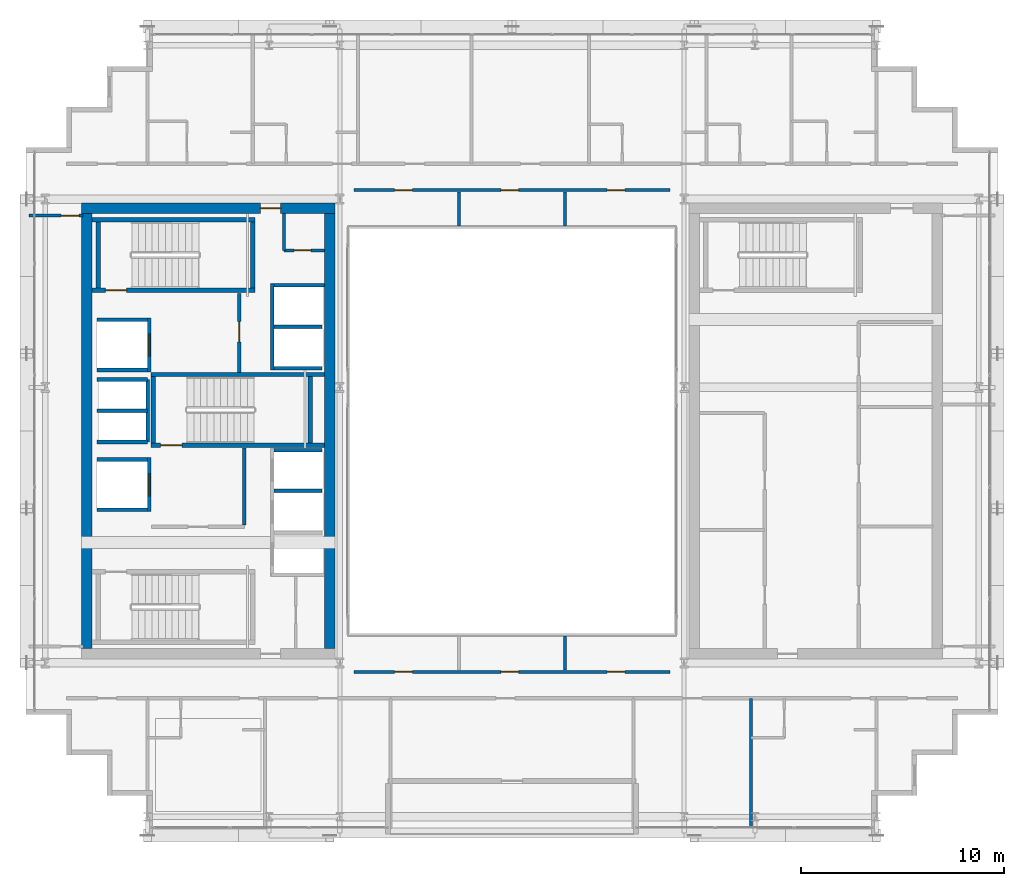
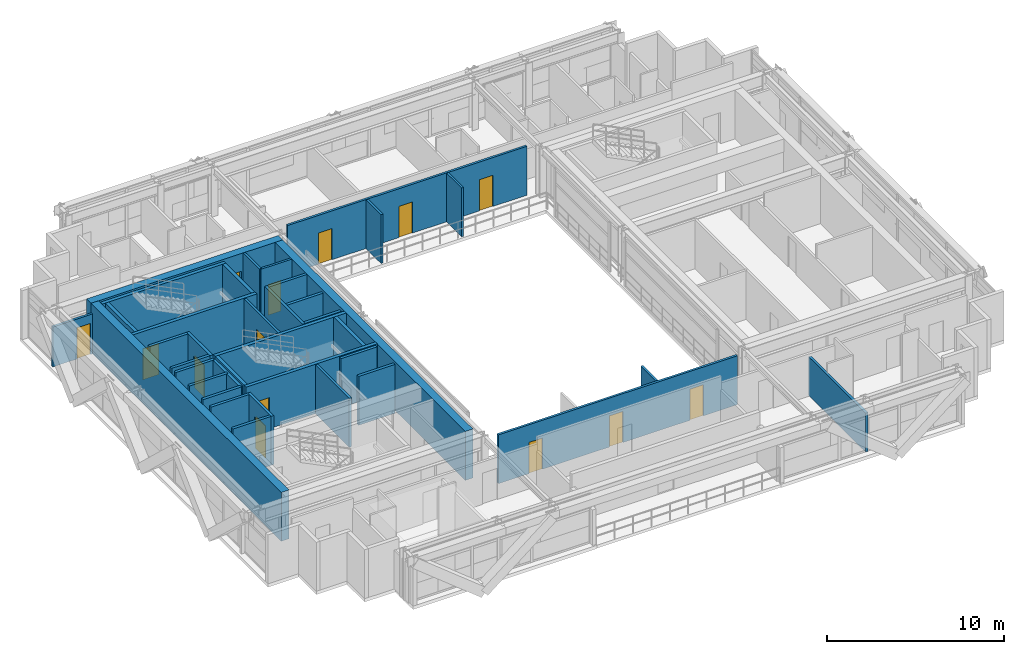
# One storey, part 30 of 37: 38 walls, 14 doors, 14 openings.
"""IFC4 building model written with IfcOpenShell, lengths in metres."""

from ifc_helpers import new_model, si_unit, direction, frame, frame_2d, origin, place, context, subcontext, project, spatial, rectangle, extrude, source, transform, mapped, material, layer, layer_set, type_object, element, fill, save


model = new_model("IFC4")

# Units and contexts
model_context = context("Model", 3, precision=1e-05, world=origin(), true_north=direction((0.0, 1.0)))
body_context = subcontext(model_context, "Body", "Model", "MODEL_VIEW")
ifc_project = project(units=[si_unit("LENGTHUNIT", "METRE"), si_unit("AREAUNIT", "SQUARE_METRE"), si_unit("VOLUMEUNIT", "CUBIC_METRE"), si_unit("PLANEANGLEUNIT", "RADIAN"), si_unit("MASSUNIT", "GRAM", prefix="KILO")], contexts=[model_context])

# Site, building, storey
site_placement = place(None, origin())
site = spatial("IfcSite", under=ifc_project, at=site_placement, CompositionType="ELEMENT")
building_placement = place(site_placement, origin())
building = spatial("IfcBuilding", under=site, at=building_placement, Name="Ocotamira Hotel", CompositionType="ELEMENT")
storey_placement = place(building_placement, frame((0.0, 0.0, 192.0)))
storey = spatial("IfcBuildingStorey", under=building, at=storey_placement, Name="L48", CompositionType="ELEMENT", Elevation=192.0)

# Wall, opening, door
ifc_material_1 = material(Name="Concrete C50/60", Category="concrete")
ifc_layer_1 = layer(ifc_material_1, 0.5)
ifc_layer_set_1 = layer_set([ifc_layer_1], Name="Concrete C50/60")
wall_type_1 = type_object("IfcWallType", Name="WL-CORE-500", PredefinedType="SHEAR", material=ifc_layer_set_1)
wall_1_placement = place(storey_placement, frame((10.75, 37.0, 0.0), z_axis=(0.0, 0.0, 1.0), x_axis=(1.0, 0.0, 0.0)))
wall_1 = element("IfcWall", 1, at=wall_1_placement, inside=storey, type_object=wall_type_1, Name="L48 Shear Core Wall WCORE-N", PredefinedType="SHEAR", context=body_context, shape_type="SweptSolid", body=[
    extrude(rectangle(XDim=12.5, YDim=0.5, at=frame_2d((6.25, 0.0))), origin(), (0.0, 0.0, 1.0), 3.3701171875),
])
opening_1_placement = place(wall_1_placement, frame((8.830078125, 0.0, 0.0)))
opening_1 = element("IfcOpeningElement", 2, at=opening_1_placement, cuts=wall_1, Name="Opening D-FR2", PredefinedType="OPENING", context=body_context, shape_type="SweptSolid", body=[
    extrude(rectangle(XDim=1.0, YDim=2.14990234375, at=frame_2d((0.5, 1.074951171875))), frame((0.0, 0.260009765625, 0.0), z_axis=(0.0, -1.0, 0.0), x_axis=(1.0, 0.0, 0.0)), (0.0, 0.0, 1.0), 0.52001953125),
])
ifc_material_2 = material(Name="Fire-rated acoustic timber-veneer door", Category="wood")
door_type_1 = type_object("IfcDoorType", Name="DR-FIRE-1000", OperationType="NOTDEFINED", PredefinedType="DOOR", material=ifc_material_2)
shared_shape_1 = source(origin(), body_context, "Body", "SweptSolid", [
    extrude(rectangle(XDim=1.0, YDim=2.14990234375, at=frame_2d((0.5, 1.074951171875))), frame((0.0, 0.02490234375, 0.0), z_axis=(0.0, -1.0, 0.0), x_axis=(1.0, 0.0, 0.0)), (0.0, 0.0, 1.0), 0.050048828125),
])
door_1_placement = place(opening_1_placement, origin())
door_1 = element("IfcDoor", 3, at=door_1_placement, inside=storey, type_object=door_type_1, Name="L48 Door ID-L48-WLOB-N-D [ID-L48-WLOB-N-D]", OperationType="SINGLE_SWING_RIGHT", OverallHeight=2.14990234375, OverallWidth=1.0, PredefinedType="DOOR", context=body_context, shape_type="MappedRepresentation", body=[
    mapped(shared_shape_1, transform((0.0, 0.0, 0.0), scale=1.0)),
])
fill(opening_1, door_1)

# Walls
for number, where, z_axis, x_axis, name in (
    (4, (11.0, 15.25, 0.0), (0.0, 0.0, 1.0), (0.0, 1.0, 0.0), "L48 Shear Core Wall WCORE-W"),
    (5, (23.0, 15.25, 0.0), (0.0, 0.0, 1.0), (0.0, 1.0, 0.0), "L48 Shear Core Wall WCORE-E"),
):
    element("IfcWall", number, at=place(storey_placement, frame(where, z_axis=z_axis, x_axis=x_axis)), inside=storey, type_object=wall_type_1, Name=name, PredefinedType="SHEAR", context=body_context, shape_type="SweptSolid", body=[
        extrude(rectangle(XDim=21.5, YDim=0.5, at=frame_2d((10.75, 0.0))), origin(), (0.0, 0.0, 1.0), 3.3701171875),
    ])
ifc_material_3 = material(Name="Acoustic double-layer fire gypsum board partition", Category="gypsum")
ifc_layer_2 = layer(ifc_material_3, 0.159912109375)
ifc_layer_set_2 = layer_set([ifc_layer_2], Name="Acoustic double-layer fire gypsum board partition")
wall_type_2 = type_object("IfcWallType", Name="WL-FIRE-160", PredefinedType="PARTITIONING", material=ifc_layer_set_2)
wall_2_placement = place(storey_placement, frame((18.780029296875, 21.35009765625, 0.0), z_axis=(0.0, 0.0, 1.0), x_axis=(0.0, 1.0, 0.0)))
element("IfcWall", 6, at=wall_2_placement, inside=storey, type_object=wall_type_2, Name="L48 Interior Wall PW-L48-FSAE1-E", PredefinedType="PARTITIONING", context=body_context, shape_type="SweptSolid", body=[
    extrude(rectangle(XDim=3.809814453125, YDim=0.159912109375, at=frame_2d((1.90478515625, 0.0))), origin(), (0.0, 0.0, 1.0), 3.3701171875),
])

# Wall, opening, door
wall_3_placement = place(storey_placement, frame((18.530029296875, 28.89990234375, 0.0), z_axis=(0.0, 0.0, 1.0), x_axis=(0.0, 1.0, 0.0)))
wall_3 = element("IfcWall", 7, at=wall_3_placement, inside=storey, type_object=wall_type_2, Name="L48 Interior Wall PW-L48-FSAE2-E", PredefinedType="PARTITIONING", context=body_context, shape_type="SweptSolid", body=[
    extrude(rectangle(XDim=3.900146484375, YDim=0.159912109375, at=frame_2d((1.9501953125, 0.0))), origin(), (0.0, 0.0, 1.0), 3.3701171875),
])
opening_2_placement = place(wall_3_placement, frame((1.5, 0.0, 0.0)))
opening_2 = element("IfcOpeningElement", 8, at=opening_2_placement, cuts=wall_3, Name="Opening D-FR2", PredefinedType="OPENING", context=body_context, shape_type="SweptSolid", body=[
    extrude(rectangle(XDim=1.0, YDim=2.14990234375, at=frame_2d((0.5, 1.074951171875))), frame((0.0, 0.08984375, 0.0), z_axis=(0.0, -1.0, 0.0), x_axis=(1.0, 0.0, 0.0)), (0.0, 0.0, 1.0), 0.179931640625),
])
door_2_placement = place(opening_2_placement, origin())
door_2 = element("IfcDoor", 9, at=door_2_placement, inside=storey, type_object=door_type_1, Name="L48 Door ID-L48-FSAE2-D [ID-L48-FSAE2-D]", OperationType="SINGLE_SWING_RIGHT", OverallHeight=2.14990234375, OverallWidth=1.0, PredefinedType="DOOR", context=body_context, shape_type="MappedRepresentation", body=[
    mapped(shared_shape_1, transform((0.0, 0.0, 0.0), scale=1.0)),
])
fill(opening_2, door_2)

# Wall
ifc_material_4 = material(Name="Acoustic hospitality gypsum board partition", Category="gypsum")
ifc_layer_3 = layer(ifc_material_4, 0.14208984375)
ifc_layer_set_3 = layer_set([ifc_layer_3], Name="Acoustic hospitality gypsum board partition")
wall_type_3 = type_object("IfcWallType", Name="WL-PART-142", PredefinedType="PARTITIONING", material=ifc_layer_set_3)
wall_4_placement = place(storey_placement, frame((20.739990234375, 34.919921875, 0.0), z_axis=(0.0, 0.0, 1.0), x_axis=(0.0, 1.0, 0.0)))
element("IfcWall", 10, at=wall_4_placement, inside=storey, type_object=wall_type_3, Name="L48 Interior Wall PW-L48-WC-NE-W1", PredefinedType="PARTITIONING", context=body_context, shape_type="SweptSolid", body=[
    extrude(rectangle(XDim=1.830078125, YDim=0.14208984375, at=frame_2d((0.9150390625, 0.0))), origin(), (0.0, 0.0, 1.0), 3.3701171875),
])

# Wall, opening, door
wall_5_placement = place(storey_placement, frame((20.739990234375, 34.919921875, 0.0), z_axis=(0.0, 0.0, 1.0), x_axis=(1.0, 0.0, 0.0)))
wall_5 = element("IfcWall", 11, at=wall_5_placement, inside=storey, type_object=wall_type_3, Name="L48 Interior Wall PW-L48-WC-NE-S1", PredefinedType="PARTITIONING", context=body_context, shape_type="SweptSolid", body=[
    extrude(rectangle(XDim=2.010009765625, YDim=0.14208984375, at=frame_2d((1.0048828125, 0.0))), origin(), (0.0, 0.0, 1.0), 3.3701171875),
])
opening_3_placement = place(wall_5_placement, frame((0.5, 0.0, 0.0)))
opening_3 = element("IfcOpeningElement", 12, at=opening_3_placement, cuts=wall_5, Name="Opening D-SV1", PredefinedType="OPENING", context=body_context, shape_type="SweptSolid", body=[
    extrude(rectangle(XDim=0.840087890625, YDim=2.10009765625, at=frame_2d((0.419921875, 1.050048828125))), frame((0.0, 0.0810546875, 0.0), z_axis=(0.0, -1.0, 0.0), x_axis=(1.0, 0.0, 0.0)), (0.0, 0.0, 1.0), 0.162109375),
])
ifc_material_5 = material(Name="Fire-rated painted steel service door", Category="steel")
door_type_2 = type_object("IfcDoorType", Name="DR-SERV-840", OperationType="NOTDEFINED", PredefinedType="DOOR", material=ifc_material_5)
shared_shape_2 = source(origin(), body_context, "Body", "SweptSolid", [
    extrude(rectangle(XDim=0.840087890625, YDim=2.10009765625, at=frame_2d((0.419921875, 1.050048828125))), frame((0.0, 0.02490234375, 0.0), z_axis=(0.0, -1.0, 0.0), x_axis=(1.0, 0.0, 0.0)), (0.0, 0.0, 1.0), 0.050048828125),
])
door_3_placement = place(opening_3_placement, origin())
door_3 = element("IfcDoor", 13, at=door_3_placement, inside=storey, type_object=door_type_2, Name="L48 Door ID-L48-WC-NE-D1 [ID-L48-WC-NE-D1]", OperationType="SINGLE_SWING_LEFT", OverallHeight=2.10009765625, OverallWidth=0.840087890625, PredefinedType="DOOR", context=body_context, shape_type="MappedRepresentation", body=[
    mapped(shared_shape_2, transform((0.0, 0.0, 0.0), scale=1.0)),
])
fill(opening_3, door_3)

# Walls
for number, where, z_axis, x_axis, name in (
    (14, (29.375, 36.1201171875, 0.0), (0.0, 0.0, 1.0), (0.0, 1.0, 0.0), "L48 Interior Wall PW-L48-Z3C-ANDV1"),
    (15, (34.625, 14.199951171875, 0.0), (0.0, 0.0, 1.0), (0.0, 1.0, 0.0), "L48 Interior Wall PW-L48-Z3C-ASDV2"),
    (16, (34.625, 36.1201171875, 0.0), (0.0, 0.0, 1.0), (0.0, 1.0, 0.0), "L48 Interior Wall PW-L48-Z3C-ANDV2"),
):
    element("IfcWall", number, at=place(storey_placement, frame(where, z_axis=z_axis, x_axis=x_axis)), inside=storey, type_object=wall_type_3, Name=name, PredefinedType="PARTITIONING", context=body_context, shape_type="SweptSolid", body=[
        extrude(rectangle(XDim=1.679931640625, YDim=0.14208984375, at=frame_2d((0.83984375, 0.0))), origin(), (0.0, 0.0, 1.0), 3.3701171875),
    ])

# Wall, openings, doors
ifc_layer_4 = layer(ifc_material_4, 0.14990234375)
ifc_layer_set_4 = layer_set([ifc_layer_4], Name="Acoustic hospitality gypsum board partition")
wall_type_4 = type_object("IfcWallType", Name="WL-PART-150", PredefinedType="PARTITIONING", material=ifc_layer_set_4)
wall_6_placement = place(storey_placement, frame((24.199951171875, 14.10009765625, 0.0), z_axis=(0.0, 0.0, 1.0), x_axis=(1.0, 0.0, 0.0)))
wall_6 = element("IfcWall", 17, at=wall_6_placement, inside=storey, type_object=wall_type_4, Name="L48 Interior Wall PW-L48-Z3C-ATRSW", PredefinedType="PARTITIONING", context=body_context, shape_type="SweptSolid", body=[
    extrude(rectangle(XDim=15.60009765625, YDim=0.14990234375, at=frame_2d((7.800048828125, 0.0))), origin(), (0.0, 0.0, 1.0), 3.3701171875),
])
opening_4_placement = place(wall_6_placement, frame((2.0, 0.0, 0.0)))
opening_4 = element("IfcOpeningElement", 18, at=opening_4_placement, cuts=wall_6, Name="Opening D-SV2", PredefinedType="OPENING", context=body_context, shape_type="SweptSolid", body=[
    extrude(rectangle(XDim=0.8798828125, YDim=2.14990234375, at=frame_2d((0.43994140625, 1.074951171875))), frame((0.0, 0.0849609375, 0.0), z_axis=(0.0, -1.0, 0.0), x_axis=(1.0, 0.0, 0.0)), (0.0, 0.0, 1.0), 0.169921875),
])
opening_5_placement = place(wall_6_placement, frame((7.25, 0.0, 0.0)))
opening_5 = element("IfcOpeningElement", 19, at=opening_5_placement, cuts=wall_6, Name="Opening D-SV2", PredefinedType="OPENING", context=body_context, shape_type="SweptSolid", body=[
    extrude(rectangle(XDim=0.8798828125, YDim=2.14990234375, at=frame_2d((0.43994140625, 1.074951171875))), frame((0.0, 0.0849609375, 0.0), z_axis=(0.0, -1.0, 0.0), x_axis=(1.0, 0.0, 0.0)), (0.0, 0.0, 1.0), 0.169921875),
])
opening_6_placement = place(wall_6_placement, frame((12.5, 0.0, 0.0)))
opening_6 = element("IfcOpeningElement", 20, at=opening_6_placement, cuts=wall_6, Name="Opening D-SV2", PredefinedType="OPENING", context=body_context, shape_type="SweptSolid", body=[
    extrude(rectangle(XDim=0.8798828125, YDim=2.14990234375, at=frame_2d((0.43994140625, 1.074951171875))), frame((0.0, 0.0849609375, 0.0), z_axis=(0.0, -1.0, 0.0), x_axis=(1.0, 0.0, 0.0)), (0.0, 0.0, 1.0), 0.169921875),
])
door_type_3 = type_object("IfcDoorType", Name="DR-SERV-880", OperationType="NOTDEFINED", PredefinedType="DOOR", material=ifc_material_5)
shared_shape_3 = source(origin(), body_context, "Body", "SweptSolid", [
    extrude(rectangle(XDim=0.8798828125, YDim=2.14990234375, at=frame_2d((0.43994140625, 1.074951171875))), frame((0.0, 0.02490234375, 0.0), z_axis=(0.0, -1.0, 0.0), x_axis=(1.0, 0.0, 0.0)), (0.0, 0.0, 1.0), 0.050048828125),
])
door_4_placement = place(opening_4_placement, origin())
door_4 = element("IfcDoor", 21, at=door_4_placement, inside=storey, type_object=door_type_3, Name="L48 Door ID-L48-Z3C-ASDD1 [ID-L48-Z3C-ASDD1]", OperationType="SINGLE_SWING_LEFT", OverallHeight=2.14990234375, OverallWidth=0.8798828125, PredefinedType="DOOR", context=body_context, shape_type="MappedRepresentation", body=[
    mapped(shared_shape_3, transform((0.0, 0.0, 0.0), scale=1.0)),
])
fill(opening_4, door_4)
door_5_placement = place(opening_5_placement, origin())
door_5 = element("IfcDoor", 22, at=door_5_placement, inside=storey, type_object=door_type_3, Name="L48 Door ID-L48-Z3C-ASDD2 [ID-L48-Z3C-ASDD2]", OperationType="SINGLE_SWING_LEFT", OverallHeight=2.14990234375, OverallWidth=0.8798828125, PredefinedType="DOOR", context=body_context, shape_type="MappedRepresentation", body=[
    mapped(shared_shape_3, transform((0.0, 0.0, 0.0), scale=1.0)),
])
fill(opening_5, door_5)
door_6_placement = place(opening_6_placement, origin())
door_6 = element("IfcDoor", 23, at=door_6_placement, inside=storey, type_object=door_type_3, Name="L48 Door ID-L48-Z3C-ASDD3 [ID-L48-Z3C-ASDD3]", OperationType="SINGLE_SWING_LEFT", OverallHeight=2.14990234375, OverallWidth=0.8798828125, PredefinedType="DOOR", context=body_context, shape_type="MappedRepresentation", body=[
    mapped(shared_shape_3, transform((0.0, 0.0, 0.0), scale=1.0)),
])
fill(opening_6, door_6)

wall_7_placement = place(storey_placement, frame((24.199951171875, 37.89990234375, 0.0), z_axis=(0.0, 0.0, 1.0), x_axis=(1.0, 0.0, 0.0)))
wall_7 = element("IfcWall", 24, at=wall_7_placement, inside=storey, type_object=wall_type_4, Name="L48 Interior Wall PW-L48-Z3C-ATRNW", PredefinedType="PARTITIONING", context=body_context, shape_type="SweptSolid", body=[
    extrude(rectangle(XDim=15.60009765625, YDim=0.14990234375, at=frame_2d((7.800048828125, 0.0))), origin(), (0.0, 0.0, 1.0), 3.3701171875),
])
opening_7_placement = place(wall_7_placement, frame((2.0, 0.0, 0.0)))
opening_7 = element("IfcOpeningElement", 25, at=opening_7_placement, cuts=wall_7, Name="Opening D-SV2", PredefinedType="OPENING", context=body_context, shape_type="SweptSolid", body=[
    extrude(rectangle(XDim=0.8798828125, YDim=2.14990234375, at=frame_2d((0.43994140625, 1.074951171875))), frame((0.0, 0.0849609375, 0.0), z_axis=(0.0, -1.0, 0.0), x_axis=(1.0, 0.0, 0.0)), (0.0, 0.0, 1.0), 0.169921875),
])
opening_8_placement = place(wall_7_placement, frame((7.25, 0.0, 0.0)))
opening_8 = element("IfcOpeningElement", 26, at=opening_8_placement, cuts=wall_7, Name="Opening D-SV2", PredefinedType="OPENING", context=body_context, shape_type="SweptSolid", body=[
    extrude(rectangle(XDim=0.8798828125, YDim=2.14990234375, at=frame_2d((0.43994140625, 1.074951171875))), frame((0.0, 0.0849609375, 0.0), z_axis=(0.0, -1.0, 0.0), x_axis=(1.0, 0.0, 0.0)), (0.0, 0.0, 1.0), 0.169921875),
])
opening_9_placement = place(wall_7_placement, frame((12.5, 0.0, 0.0)))
opening_9 = element("IfcOpeningElement", 27, at=opening_9_placement, cuts=wall_7, Name="Opening D-SV2", PredefinedType="OPENING", context=body_context, shape_type="SweptSolid", body=[
    extrude(rectangle(XDim=0.8798828125, YDim=2.14990234375, at=frame_2d((0.43994140625, 1.074951171875))), frame((0.0, 0.0849609375, 0.0), z_axis=(0.0, -1.0, 0.0), x_axis=(1.0, 0.0, 0.0)), (0.0, 0.0, 1.0), 0.169921875),
])
door_7_placement = place(opening_7_placement, origin())
door_7 = element("IfcDoor", 28, at=door_7_placement, inside=storey, type_object=door_type_3, Name="L48 Door ID-L48-Z3C-ANDD1 [ID-L48-Z3C-ANDD1]", OperationType="SINGLE_SWING_RIGHT", OverallHeight=2.14990234375, OverallWidth=0.8798828125, PredefinedType="DOOR", context=body_context, shape_type="MappedRepresentation", body=[
    mapped(shared_shape_3, transform((0.0, 0.0, 0.0), scale=1.0)),
])
fill(opening_7, door_7)
door_8_placement = place(opening_8_placement, origin())
door_8 = element("IfcDoor", 29, at=door_8_placement, inside=storey, type_object=door_type_3, Name="L48 Door ID-L48-Z3C-ANDD2 [ID-L48-Z3C-ANDD2]", OperationType="SINGLE_SWING_RIGHT", OverallHeight=2.14990234375, OverallWidth=0.8798828125, PredefinedType="DOOR", context=body_context, shape_type="MappedRepresentation", body=[
    mapped(shared_shape_3, transform((0.0, 0.0, 0.0), scale=1.0)),
])
fill(opening_8, door_8)
door_9_placement = place(opening_9_placement, origin())
door_9 = element("IfcDoor", 30, at=door_9_placement, inside=storey, type_object=door_type_3, Name="L48 Door ID-L48-Z3C-ANDD3 [ID-L48-Z3C-ANDD3]", OperationType="SINGLE_SWING_RIGHT", OverallHeight=2.14990234375, OverallWidth=0.8798828125, PredefinedType="DOOR", context=body_context, shape_type="MappedRepresentation", body=[
    mapped(shared_shape_3, transform((0.0, 0.0, 0.0), scale=1.0)),
])
fill(opening_9, door_9)

# Wall, opening, door
wall_8_placement = place(storey_placement, frame((8.159912109375, 36.639892578125, 0.0), z_axis=(0.0, 0.0, 1.0), x_axis=(1.0, 0.0, 0.0)))
wall_8 = element("IfcWall", 31, at=wall_8_placement, inside=storey, type_object=wall_type_4, Name="L48 Interior Wall PW-L48-Z3C-WF-WN", PredefinedType="PARTITIONING", context=body_context, shape_type="SweptSolid", body=[
    extrude(rectangle(XDim=2.66015625, YDim=0.14990234375, at=frame_2d((1.330078125, 0.0))), origin(), (0.0, 0.0, 1.0), 2.7529296875),
])
opening_10_placement = place(wall_8_placement, frame((1.580078125, 0.0, 0.0)))
opening_10 = element("IfcOpeningElement", 32, at=opening_10_placement, cuts=wall_8, Name="Opening D-SV2", PredefinedType="OPENING", context=body_context, shape_type="SweptSolid", body=[
    extrude(rectangle(XDim=0.8798828125, YDim=2.14990234375, at=frame_2d((0.43994140625, 1.074951171875))), frame((0.0, 0.0849609375, 0.0), z_axis=(0.0, -1.0, 0.0), x_axis=(1.0, 0.0, 0.0)), (0.0, 0.0, 1.0), 0.169921875),
])
door_10_placement = place(opening_10_placement, origin())
door_10 = element("IfcDoor", 33, at=door_10_placement, inside=storey, type_object=door_type_3, Name="L48 Door ID-L48-Z3C-WF-DN [ID-L48-Z3C-WF-DN]", OperationType="SINGLE_SWING_RIGHT", OverallHeight=2.14990234375, OverallWidth=0.8798828125, PredefinedType="DOOR", context=body_context, shape_type="MappedRepresentation", body=[
    mapped(shared_shape_3, transform((0.0, 0.0, 0.0), scale=1.0)),
])
fill(opening_10, door_10)

# Walls
ifc_material_6 = material(Name="Acoustic double-stud hospitality gypsum partition", Category="gypsum")
ifc_layer_5 = layer(ifc_material_6, 0.159912109375)
ifc_layer_set_5 = layer_set([ifc_layer_5], Name="Acoustic double-stud hospitality gypsum partition")
wall_type_5 = type_object("IfcWallType", Name="WL-PART-160", PredefinedType="PARTITIONING", material=ifc_layer_set_5)
wall_9_placement = place(storey_placement, frame((43.800048828125, 6.360107421875, 0.0), z_axis=(0.0, 0.0, 1.0), x_axis=(0.0, 1.0, 0.0)))
element("IfcWall", 34, at=wall_9_placement, inside=storey, type_object=wall_type_5, Name="L48 Interior Wall PW-L48-Z3CSE-PW1", PredefinedType="PARTITIONING", context=body_context, shape_type="SweptSolid", body=[
    extrude(rectangle(XDim=6.43994140625, YDim=0.159912109375, at=frame_2d((3.219970703125, 0.0))), origin(), (0.0, 0.0, 1.0), 2.677001953125),
])
ifc_material_7 = material(Name="Fire-rated gypsum shaftliner board assembly", Category="gypsum")
ifc_layer_6 = layer(ifc_material_7, 0.179931640625)
ifc_layer_set_6 = layer_set([ifc_layer_6], Name="Fire-rated gypsum shaftliner board assembly")
wall_type_6 = type_object("IfcWallType", Name="WL-SHAFT-180", PredefinedType="SOLIDWALL", material=ifc_layer_set_6)
for number, where, z_axis, x_axis, name in (
    (35, (20.25, 25.050048828125, 0.0), (0.0, 0.0, 1.0), (1.0, 0.0, 0.0), "L48 Interior Wall PW-L48-LFW-BANK-high-N"),
    (36, (20.25, 23.044921875, 0.0), (0.0, 0.0, 1.0), (1.0, 0.0, 0.0), "L48 Interior Wall PW-L48-LFW-DIV-LF-P8"),
):
    element("IfcWall", number, at=place(storey_placement, frame(where, z_axis=z_axis, x_axis=x_axis)), inside=storey, type_object=wall_type_6, Name=name, PredefinedType="SOLIDWALL", context=body_context, shape_type="SweptSolid", body=[
        extrude(rectangle(XDim=2.360107421875, YDim=0.179931640625, at=frame_2d((1.18017578125, 0.0))), origin(), (0.0, 0.0, 1.0), 3.3701171875),
    ])
wall_10_placement = place(storey_placement, frame((20.159912109375, 29.0, 0.0), z_axis=(0.0, 0.0, 1.0), x_axis=(0.0, 1.0, 0.0)))
element("IfcWall", 37, at=wall_10_placement, inside=storey, type_object=wall_type_6, Name="L48 Interior Wall PW-L48-LFW-BANK-obs-F", PredefinedType="SOLIDWALL", context=body_context, shape_type="SweptSolid", body=[
    extrude(rectangle(XDim=4.2900390625, YDim=0.179931640625, at=frame_2d((2.14501953125, 0.0))), origin(), (0.0, 0.0, 1.0), 3.3701171875),
])
wall_11_placement = place(storey_placement, frame((20.25, 29.090087890625, 0.0), z_axis=(0.0, 0.0, 1.0), x_axis=(1.0, 0.0, 0.0)))
element("IfcWall", 38, at=wall_11_placement, inside=storey, type_object=wall_type_6, Name="L48 Interior Wall PW-L48-LFW-BANK-obs-S", PredefinedType="SOLIDWALL", context=body_context, shape_type="SweptSolid", body=[
    extrude(rectangle(XDim=2.360107421875, YDim=0.179931640625, at=frame_2d((1.18017578125, 0.0))), origin(), (0.0, 0.0, 1.0), 3.3701171875),
])
wall_12_placement = place(storey_placement, frame((20.25, 33.199951171875, 0.0), z_axis=(0.0, 0.0, 1.0), x_axis=(1.0, 0.0, 0.0)))
element("IfcWall", 39, at=wall_12_placement, inside=storey, type_object=wall_type_6, Name="L48 Interior Wall PW-L48-LFW-BANK-obs-N", PredefinedType="SOLIDWALL", context=body_context, shape_type="SweptSolid", body=[
    extrude(rectangle(XDim=2.5, YDim=0.179931640625, at=frame_2d((1.25, 0.0))), origin(), (0.0, 0.0, 1.0), 3.3701171875),
])
wall_13_placement = place(storey_placement, frame((20.25, 31.14501953125, 0.0), z_axis=(0.0, 0.0, 1.0), x_axis=(1.0, 0.0, 0.0)))
element("IfcWall", 40, at=wall_13_placement, inside=storey, type_object=wall_type_6, Name="L48 Interior Wall PW-L48-LFW-DIV-LF-OBS1", PredefinedType="SOLIDWALL", context=body_context, shape_type="SweptSolid", body=[
    extrude(rectangle(XDim=2.360107421875, YDim=0.179931640625, at=frame_2d((1.18017578125, 0.0))), origin(), (0.0, 0.0, 1.0), 3.3701171875),
])
for number, where, z_axis, x_axis, name in (
    (41, (11.5, 22.110107421875, 0.0), (0.0, 0.0, 1.0), (1.0, 0.0, 0.0), "L48 Interior Wall PW-L48-LFW-LF-FSAE1-S"),
    (42, (11.5, 24.590087890625, 0.0), (0.0, 0.0, 1.0), (1.0, 0.0, 0.0), "L48 Interior Wall PW-L48-LFW-LF-FSAE1-N"),
):
    element("IfcWall", number, at=place(storey_placement, frame(where, z_axis=z_axis, x_axis=x_axis)), inside=storey, type_object=wall_type_6, Name=name, PredefinedType="SOLIDWALL", context=body_context, shape_type="SweptSolid", body=[
        extrude(rectangle(XDim=2.5, YDim=0.179931640625, at=frame_2d((1.25, 0.0))), origin(), (0.0, 0.0, 1.0), 3.3701171875),
    ])

# Wall, opening, door
wall_14_placement = place(storey_placement, frame((14.090087890625, 22.02001953125, 0.0), z_axis=(0.0, 0.0, 1.0), x_axis=(0.0, 1.0, 0.0)))
wall_14 = element("IfcWall", 43, at=wall_14_placement, inside=storey, type_object=wall_type_6, Name="L48 Interior Wall PW-L48-LFW-LF-FSAE1-E", PredefinedType="SOLIDWALL", context=body_context, shape_type="SweptSolid", body=[
    extrude(rectangle(XDim=2.659912109375, YDim=0.179931640625, at=frame_2d((1.330078125, 0.0))), origin(), (0.0, 0.0, 1.0), 3.3701171875),
])
opening_11_placement = place(wall_14_placement, frame((0.780029296875, 0.0, 0.0)))
opening_11 = element("IfcOpeningElement", 44, at=opening_11_placement, cuts=wall_14, Name="Opening LD-LF-FSAE1", PredefinedType="OPENING", context=body_context, shape_type="SweptSolid", body=[
    extrude(rectangle(XDim=1.10009765625, YDim=2.199951171875, at=frame_2d((0.550048828125, 1.10009765625))), frame((0.0, 0.10009765625, 0.0), z_axis=(0.0, -1.0, 0.0), x_axis=(1.0, 0.0, 0.0)), (0.0, 0.0, 1.0), 0.199951171875),
])
ifc_material_8 = material(Name="Brushed pale-metal stainless elevator landing door", Category="steel")
door_type_4 = type_object("IfcDoorType", Name="DR-LIFT-1100", OperationType="NOTDEFINED", PredefinedType="DOOR", material=ifc_material_8)
shared_shape_4 = source(origin(), body_context, "Body", "SweptSolid", [
    extrude(rectangle(XDim=1.10009765625, YDim=2.199951171875, at=frame_2d((0.550048828125, 1.10009765625))), frame((0.0, 0.02490234375, 0.0), z_axis=(0.0, -1.0, 0.0), x_axis=(1.0, 0.0, 0.0)), (0.0, 0.0, 1.0), 0.050048828125),
])
door_11_placement = place(opening_11_placement, origin())
door_11 = element("IfcDoor", 45, at=door_11_placement, inside=storey, type_object=door_type_4, Name="L48 Landing Door LD-LF-FSAE1 [ID-L48-LD-LF-FSAE1]", OperationType="DOUBLE_DOOR_SLIDING", OverallHeight=2.199951171875, OverallWidth=1.10009765625, PredefinedType="DOOR", context=body_context, shape_type="MappedRepresentation", body=[
    mapped(shared_shape_4, transform((0.0, 0.0, 0.0), scale=1.0)),
])
fill(opening_11, door_11)

# Walls
for number, where, z_axis, x_axis, name in (
    (46, (11.5, 29.010009765625, 0.0), (0.0, 0.0, 1.0), (1.0, 0.0, 0.0), "L48 Interior Wall PW-L48-LFW-LF-FSAE2-S"),
    (47, (11.5, 31.489990234375, 0.0), (0.0, 0.0, 1.0), (1.0, 0.0, 0.0), "L48 Interior Wall PW-L48-LFW-LF-FSAE2-N"),
):
    element("IfcWall", number, at=place(storey_placement, frame(where, z_axis=z_axis, x_axis=x_axis)), inside=storey, type_object=wall_type_6, Name=name, PredefinedType="SOLIDWALL", context=body_context, shape_type="SweptSolid", body=[
        extrude(rectangle(XDim=2.5, YDim=0.179931640625, at=frame_2d((1.25, 0.0))), origin(), (0.0, 0.0, 1.0), 3.3701171875),
    ])

# Wall, opening, door
wall_15_placement = place(storey_placement, frame((14.090087890625, 28.919921875, 0.0), z_axis=(0.0, 0.0, 1.0), x_axis=(0.0, 1.0, 0.0)))
wall_15 = element("IfcWall", 48, at=wall_15_placement, inside=storey, type_object=wall_type_6, Name="L48 Interior Wall PW-L48-LFW-LF-FSAE2-E", PredefinedType="SOLIDWALL", context=body_context, shape_type="SweptSolid", body=[
    extrude(rectangle(XDim=2.66015625, YDim=0.179931640625, at=frame_2d((1.330078125, 0.0))), origin(), (0.0, 0.0, 1.0), 3.3701171875),
])
opening_12_placement = place(wall_15_placement, frame((0.780029296875, 0.0, 0.0)))
opening_12 = element("IfcOpeningElement", 49, at=opening_12_placement, cuts=wall_15, Name="Opening LD-LF-FSAE2", PredefinedType="OPENING", context=body_context, shape_type="SweptSolid", body=[
    extrude(rectangle(XDim=1.10009765625, YDim=2.199951171875, at=frame_2d((0.550048828125, 1.10009765625))), frame((0.0, 0.10009765625, 0.0), z_axis=(0.0, -1.0, 0.0), x_axis=(1.0, 0.0, 0.0)), (0.0, 0.0, 1.0), 0.199951171875),
])
door_12_placement = place(opening_12_placement, origin())
door_12 = element("IfcDoor", 50, at=door_12_placement, inside=storey, type_object=door_type_4, Name="L48 Landing Door LD-LF-FSAE2 [ID-L48-LD-LF-FSAE2]", OperationType="DOUBLE_DOOR_SLIDING", OverallHeight=2.199951171875, OverallWidth=1.10009765625, PredefinedType="DOOR", context=body_context, shape_type="MappedRepresentation", body=[
    mapped(shared_shape_4, transform((0.0, 0.0, 0.0), scale=1.0)),
])
fill(opening_12, door_12)

# Walls
for number, where, z_axis, x_axis, name in (
    (51, (11.5, 25.4599609375, 0.0), (0.0, 0.0, 1.0), (1.0, 0.0, 0.0), "L48 Interior Wall PW-L48-RSW-S"),
    (52, (11.5, 27.0, 0.0), (0.0, 0.0, 1.0), (1.0, 0.0, 0.0), "L48 Interior Wall PW-L48-RSW-MID"),
    (53, (11.5, 28.5400390625, 0.0), (0.0, 0.0, 1.0), (1.0, 0.0, 0.0), "L48 Interior Wall PW-L48-RSW-N"),
):
    element("IfcWall", number, at=place(storey_placement, frame(where, z_axis=z_axis, x_axis=x_axis)), inside=storey, type_object=wall_type_6, Name=name, PredefinedType="SOLIDWALL", context=body_context, shape_type="SweptSolid", body=[
        extrude(rectangle(XDim=2.510009765625, YDim=0.179931640625, at=frame_2d((1.2548828125, 0.0))), origin(), (0.0, 0.0, 1.0), 3.3701171875),
    ])
wall_16_placement = place(storey_placement, frame((14.010009765625, 25.4599609375, 0.0), z_axis=(0.0, 0.0, 1.0), x_axis=(0.0, 1.0, 0.0)))
element("IfcWall", 54, at=wall_16_placement, inside=storey, type_object=wall_type_6, Name="L48 Interior Wall PW-L48-RSW-E", PredefinedType="SOLIDWALL", context=body_context, shape_type="SweptSolid", body=[
    extrude(rectangle(XDim=3.080078125, YDim=0.179931640625, at=frame_2d((1.5400390625, 0.0))), origin(), (0.0, 0.0, 1.0), 3.3701171875),
])

# Wall, opening, door
ifc_layer_7 = layer(ifc_material_1, 0.219970703125)
ifc_layer_set_7 = layer_set([ifc_layer_7], Name="Concrete C50/60")
wall_type_7 = type_object("IfcWallType", Name="WL-STAIR-220", PredefinedType="SHEAR", material=ifc_layer_set_7)
wall_17_placement = place(storey_placement, frame((11.25, 32.93994140625, 0.0), z_axis=(0.0, 0.0, 1.0), x_axis=(1.0, 0.0, 0.0)))
wall_17 = element("IfcWall", 55, at=wall_17_placement, inside=storey, type_object=wall_type_7, Name="L48 Stair Shaft Structural Wall ST-2-S", PredefinedType="SHEAR", context=body_context, shape_type="SweptSolid", body=[
    extrude(rectangle(XDim=8.06005859375, YDim=0.219970703125, at=frame_2d((4.030029296875, 0.0))), origin(), (0.0, 0.0, 1.0), 3.39990234375),
])
opening_13_placement = place(wall_17_placement, frame((0.669921875, 0.0, 0.0)))
opening_13 = element("IfcOpeningElement", 56, at=opening_13_placement, cuts=wall_17, Name="Opening D-ST2", PredefinedType="OPENING", context=body_context, shape_type="SweptSolid", body=[
    extrude(rectangle(XDim=1.050048828125, YDim=2.14990234375, at=frame_2d((0.52490234375, 1.074951171875))), frame((0.0, 0.1201171875, 0.0), z_axis=(0.0, -1.0, 0.0), x_axis=(1.0, 0.0, 0.0)), (0.0, 0.0, 1.0), 0.239990234375),
])
ifc_material_9 = material(Name="Insulated painted hollow-metal fire exit door", Category="steel")
door_type_5 = type_object("IfcDoorType", Name="DR-STAIR-1050", OperationType="NOTDEFINED", PredefinedType="DOOR", material=ifc_material_9)
shared_shape_5 = source(origin(), body_context, "Body", "SweptSolid", [
    extrude(rectangle(XDim=1.050048828125, YDim=2.14990234375, at=frame_2d((0.52490234375, 1.074951171875))), frame((0.0, 0.02490234375, 0.0), z_axis=(0.0, -1.0, 0.0), x_axis=(1.0, 0.0, 0.0)), (0.0, 0.0, 1.0), 0.050048828125),
])
door_13_placement = place(opening_13_placement, origin())
door_13 = element("IfcDoor", 57, at=door_13_placement, inside=storey, type_object=door_type_5, Name="L48 Door ID-L48-STD-ST-2 [ID-L48-STD-ST-2]", OperationType="SINGLE_SWING_RIGHT", OverallHeight=2.14990234375, OverallWidth=1.050048828125, PredefinedType="DOOR", context=body_context, shape_type="MappedRepresentation", body=[
    mapped(shared_shape_5, transform((0.0, 0.0, 0.0), scale=1.0)),
])
fill(opening_13, door_13)

# Walls
wall_18_placement = place(storey_placement, frame((11.25, 36.43994140625, 0.0), z_axis=(0.0, 0.0, 1.0), x_axis=(1.0, 0.0, 0.0)))
element("IfcWall", 58, at=wall_18_placement, inside=storey, type_object=wall_type_7, Name="L48 Stair Shaft Structural Wall ST-2-N", PredefinedType="SHEAR", context=body_context, shape_type="SweptSolid", body=[
    extrude(rectangle(XDim=8.06005859375, YDim=0.219970703125, at=frame_2d((4.030029296875, 0.0))), origin(), (0.0, 0.0, 1.0), 3.39990234375),
])
for number, where, z_axis, x_axis, name in (
    (59, (11.56005859375, 33.050048828125, 0.0), (0.0, 0.0, 1.0), (0.0, 1.0, 0.0), "L48 Stair Shaft Structural Wall ST-2-W"),
    (60, (19.199951171875, 33.050048828125, 0.0), (0.0, 0.0, 1.0), (0.0, 1.0, 0.0), "L48 Stair Shaft Structural Wall ST-2-E"),
):
    element("IfcWall", number, at=place(storey_placement, frame(where, z_axis=z_axis, x_axis=x_axis)), inside=storey, type_object=wall_type_7, Name=name, PredefinedType="SHEAR", context=body_context, shape_type="SweptSolid", body=[
        extrude(rectangle(XDim=3.280029296875, YDim=0.219970703125, at=frame_2d((1.64013671875, 0.0))), origin(), (0.0, 0.0, 1.0), 3.39990234375),
    ])

# Wall, opening, door
wall_19_placement = place(storey_placement, frame((14.179931640625, 25.2900390625, 0.0), z_axis=(0.0, 0.0, 1.0), x_axis=(1.0, 0.0, 0.0)))
wall_19 = element("IfcWall", 61, at=wall_19_placement, inside=storey, type_object=wall_type_7, Name="L48 Stair Shaft Structural Wall ST-3-S", PredefinedType="SHEAR", context=body_context, shape_type="SweptSolid", body=[
    extrude(rectangle(XDim=8.570068359375, YDim=0.219970703125, at=frame_2d((4.28515625, 0.0))), origin(), (0.0, 0.0, 1.0), 3.39990234375),
])
opening_14_placement = place(wall_19_placement, frame((0.469970703125, 0.0, 0.0)))
opening_14 = element("IfcOpeningElement", 62, at=opening_14_placement, cuts=wall_19, Name="Opening D-ST2", PredefinedType="OPENING", context=body_context, shape_type="SweptSolid", body=[
    extrude(rectangle(XDim=1.050048828125, YDim=2.14990234375, at=frame_2d((0.52490234375, 1.074951171875))), frame((0.0, 0.1201171875, 0.0), z_axis=(0.0, -1.0, 0.0), x_axis=(1.0, 0.0, 0.0)), (0.0, 0.0, 1.0), 0.239990234375),
])
door_14_placement = place(opening_14_placement, origin())
door_14 = element("IfcDoor", 63, at=door_14_placement, inside=storey, type_object=door_type_5, Name="L48 Door ID-L48-STD-ST-3 [ID-L48-STD-ST-3]", OperationType="SINGLE_SWING_LEFT", OverallHeight=2.14990234375, OverallWidth=1.050048828125, PredefinedType="DOOR", context=body_context, shape_type="MappedRepresentation", body=[
    mapped(shared_shape_5, transform((0.0, 0.0, 0.0), scale=1.0)),
])
fill(opening_14, door_14)

# Walls
wall_20_placement = place(storey_placement, frame((14.179931640625, 28.7900390625, 0.0), z_axis=(0.0, 0.0, 1.0), x_axis=(1.0, 0.0, 0.0)))
element("IfcWall", 64, at=wall_20_placement, inside=storey, type_object=wall_type_7, Name="L48 Stair Shaft Structural Wall ST-3-N", PredefinedType="SHEAR", context=body_context, shape_type="SweptSolid", body=[
    extrude(rectangle(XDim=8.570068359375, YDim=0.219970703125, at=frame_2d((4.28515625, 0.0))), origin(), (0.0, 0.0, 1.0), 3.39990234375),
])
for number, where, z_axis, x_axis, name in (
    (65, (14.2900390625, 25.39990234375, 0.0), (0.0, 0.0, 1.0), (0.0, 1.0, 0.0), "L48 Stair Shaft Structural Wall ST-3-W"),
    (66, (22.030029296875, 25.39990234375, 0.0), (0.0, 0.0, 1.0), (0.0, 1.0, 0.0), "L48 Stair Shaft Structural Wall ST-3-E"),
):
    element("IfcWall", number, at=place(storey_placement, frame(where, z_axis=z_axis, x_axis=x_axis)), inside=storey, type_object=wall_type_7, Name=name, PredefinedType="SHEAR", context=body_context, shape_type="SweptSolid", body=[
        extrude(rectangle(XDim=3.280029296875, YDim=0.219970703125, at=frame_2d((1.64013671875, 0.0))), origin(), (0.0, 0.0, 1.0), 3.39990234375),
    ])

save(model, "model.ifc")
